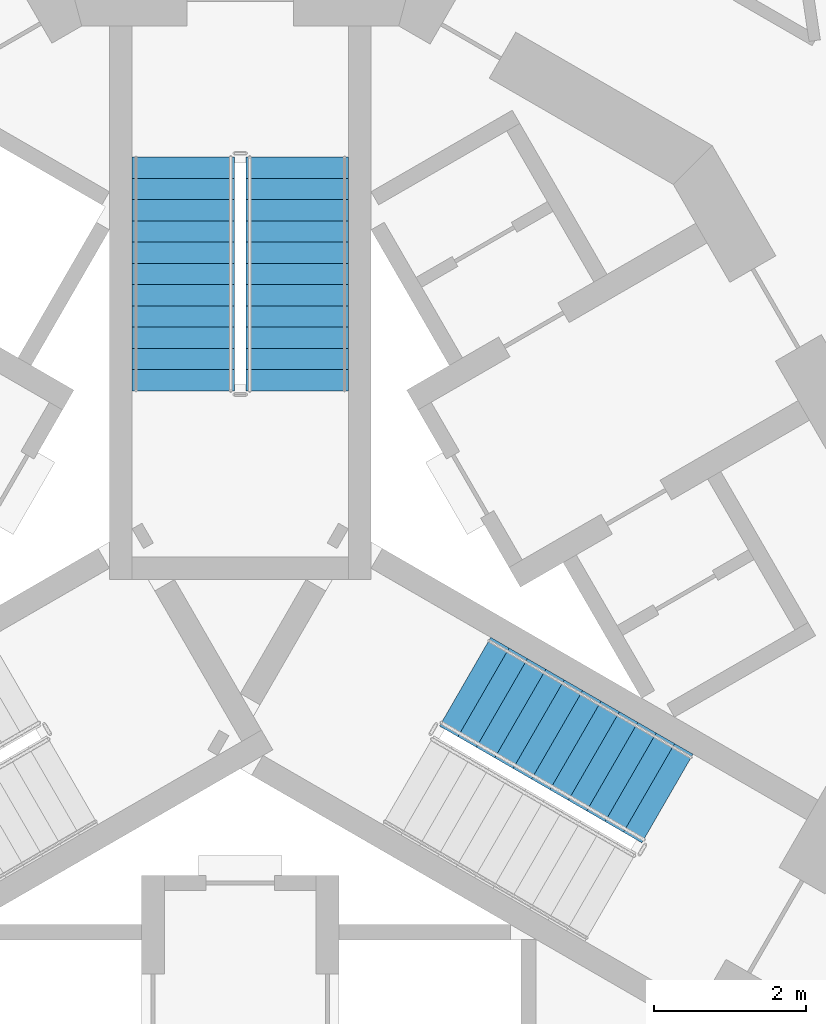
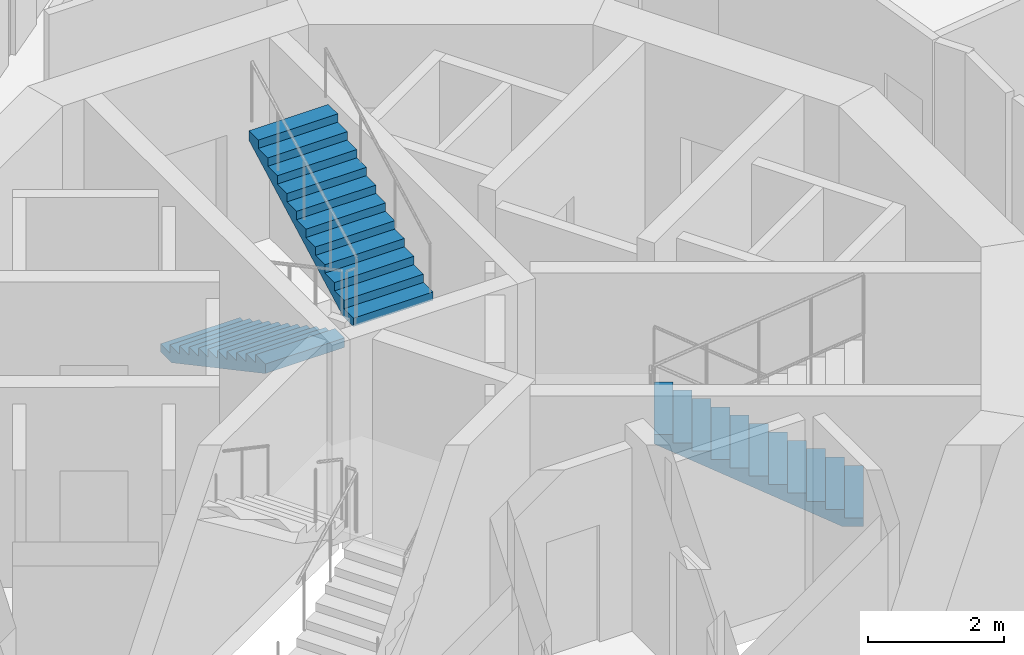
# One storey, part 10 of 16: 3 stair flights, 2 elements without a shape of their own.
"""IFC4 building model written with IfcOpenShell, lengths in metres."""

from ifc_helpers import new_model, si_unit, direction, frame, origin, place, context, subcontext, project, spatial, polyline, outline, extrude, material, type_object, element, aggregate, save


model = new_model("IFC4")

# Units and contexts
model_context = context("Model", 3, precision=1e-05, world=origin(), true_north=direction((0.0, 1.0)))
body_context = subcontext(model_context, "Body", "Model", "MODEL_VIEW")
ifc_project = project(units=[si_unit("LENGTHUNIT", "METRE"), si_unit("AREAUNIT", "SQUARE_METRE"), si_unit("VOLUMEUNIT", "CUBIC_METRE"), si_unit("PLANEANGLEUNIT", "RADIAN"), si_unit("MASSUNIT", "GRAM", prefix="KILO")], contexts=[model_context])

# Site, building, storey
site_placement = place(None, origin())
site = spatial("IfcSite", under=ifc_project, at=site_placement, CompositionType="ELEMENT")
building_placement = place(site_placement, origin())
building = spatial("IfcBuilding", under=site, at=building_placement, Name="Trine Commons Tower", CompositionType="ELEMENT")
storey_placement = place(building_placement, frame((0.0, 0.0, 198.0)))
storey = spatial("IfcBuildingStorey", under=building, at=storey_placement, Name="L51", CompositionType="ELEMENT", Elevation=198.0)

# Stair, stair flights
ifc_material = material(Name="Concrete C50/60", Category="concrete")
stair_type = type_object("IfcStairType", Name="Exit stair, dog-leg, 24 risers of 150 mm", PredefinedType="HALF_TURN_STAIR", material=ifc_material)
stair_1_placement = place(storey_placement, origin())
stair_1 = element("IfcStair", 1, at=stair_1_placement, inside=storey, type_object=stair_type, Name="L51 Exit stair ST1C", PredefinedType="HALF_TURN_STAIR")
stair_flight_type = type_object("IfcStairFlightType", Name="Stair flight, 1350 wide, 12 risers of 150 mm", PredefinedType="STRAIGHT", material=ifc_material)
stair_flight_1_placement = place(storey_placement, frame((79.25, 68.570556640625, 0.0), z_axis=(0.0, 0.0, 1.0), x_axis=(0.0, -1.0, 0.0)))
stair_flight_1 = element("IfcStairFlight", 2, at=stair_flight_1_placement, type_object=stair_flight_type, Name="ST1C flight 1", NumberOfRisers=12, NumberOfTreads=11, PredefinedType="STRAIGHT", RiserHeight=0.15, TreadLength=0.28, context=body_context, shape_type="SweptSolid", body=[
    extrude(outline(polyline([(0.0, 0.0), (0.0, 0.14990234375), (0.280029296875, 0.14990234375), (0.280029296875, 0.300048828125), (0.56005859375, 0.300048828125), (0.56005859375, 0.449951171875), (0.840087890625, 0.449951171875), (0.840087890625, 0.60009765625), (1.1201171875, 0.60009765625), (1.1201171875, 0.75), (1.39990234375, 0.75), (1.39990234375, 0.89990234375), (1.679931640625, 0.89990234375), (1.679931640625, 1.050048828125), (1.9599609375, 1.050048828125), (1.9599609375, 1.199951171875), (2.239990234375, 1.199951171875), (2.239990234375, 1.35009765625), (2.52001953125, 1.35009765625), (2.52001953125, 1.5), (2.800048828125, 1.5), (2.800048828125, 1.64990234375), (3.080078125, 1.64990234375), (3.080078125, 1.800048828125), (3.080078125, 1.47998046875), (0.3173828125, 0.0), (0.0, 0.0)])), frame((0.0, 0.675048828125, 0.0), z_axis=(0.0, -1.0, 0.0), x_axis=(1.0, 0.0, 0.0)), (0.0, 0.0, 1.0), 1.35009765625),
])
stair_flight_2_placement = place(storey_placement, frame((80.75, 65.490478515625, 1.800048828125), z_axis=(0.0, 0.0, 1.0), x_axis=(0.0, 1.0, 0.0)))
stair_flight_2 = element("IfcStairFlight", 3, at=stair_flight_2_placement, type_object=stair_flight_type, Name="ST1C flight 2", NumberOfRisers=12, NumberOfTreads=11, PredefinedType="STRAIGHT", RiserHeight=0.15, TreadLength=0.28, context=body_context, shape_type="SweptSolid", body=[
    extrude(outline(polyline([(0.0, 0.0), (0.0, 0.14990234375), (0.280029296875, 0.14990234375), (0.280029296875, 0.300048828125), (0.56005859375, 0.300048828125), (0.56005859375, 0.449951171875), (0.840087890625, 0.449951171875), (0.840087890625, 0.60009765625), (1.1201171875, 0.60009765625), (1.1201171875, 0.75), (1.39990234375, 0.75), (1.39990234375, 0.89990234375), (1.679931640625, 0.89990234375), (1.679931640625, 1.050048828125), (1.9599609375, 1.050048828125), (1.9599609375, 1.199951171875), (2.239990234375, 1.199951171875), (2.239990234375, 1.35009765625), (2.52001953125, 1.35009765625), (2.52001953125, 1.5), (2.800048828125, 1.5), (2.800048828125, 1.64990234375), (3.080078125, 1.64990234375), (3.080078125, 1.800048828125), (3.080078125, 1.47998046875), (0.3173828125, 0.0), (0.0, 0.0)])), frame((0.0, 0.675048828125, 0.0), z_axis=(0.0, -1.0, 0.0), x_axis=(1.0, 0.0, 0.0)), (0.0, 0.0, 1.0), 1.35009765625),
])
aggregate(stair_1, [stair_flight_1, stair_flight_2])

# Stair, stair flight
stair_2_placement = place(storey_placement, origin())
stair_2 = element("IfcStair", 4, at=stair_2_placement, inside=storey, type_object=stair_type, Name="L51 Exit stair ST3C", PredefinedType="HALF_TURN_STAIR")
stair_flight_3_placement = place(storey_placement, frame((85.63232421875, 60.1142578125, 0.0), z_axis=(0.0, 0.0, 1.0), x_axis=(-0.866025403784, 0.5, 0.0)))
stair_flight_3 = element("IfcStairFlight", 5, at=stair_flight_3_placement, type_object=stair_flight_type, Name="ST3C flight 1", NumberOfRisers=12, NumberOfTreads=11, PredefinedType="STRAIGHT", RiserHeight=0.15, TreadLength=0.28, context=body_context, shape_type="SweptSolid", body=[
    extrude(outline(polyline([(0.0, 0.0), (0.0, 0.14990234375), (0.280029296875, 0.14990234375), (0.280029296875, 0.300048828125), (0.56005859375, 0.300048828125), (0.56005859375, 0.449951171875), (0.840087890625, 0.449951171875), (0.840087890625, 0.60009765625), (1.1201171875, 0.60009765625), (1.1201171875, 0.75), (1.39990234375, 0.75), (1.39990234375, 0.89990234375), (1.679931640625, 0.89990234375), (1.679931640625, 1.050048828125), (1.9599609375, 1.050048828125), (1.9599609375, 1.199951171875), (2.239990234375, 1.199951171875), (2.239990234375, 1.35009765625), (2.52001953125, 1.35009765625), (2.52001953125, 1.5), (2.800048828125, 1.5), (2.800048828125, 1.64990234375), (3.080078125, 1.64990234375), (3.080078125, 1.800048828125), (3.080078125, 1.47998046875), (0.3173828125, 0.0), (0.0, 0.0)])), frame((0.0, 0.675048828125, 0.0), z_axis=(0.0, -1.0, 0.0), x_axis=(1.0, 0.0, 0.0)), (0.0, 0.0, 1.0), 1.35009765625),
])
aggregate(stair_2, [stair_flight_3])

save(model, "model.ifc")
